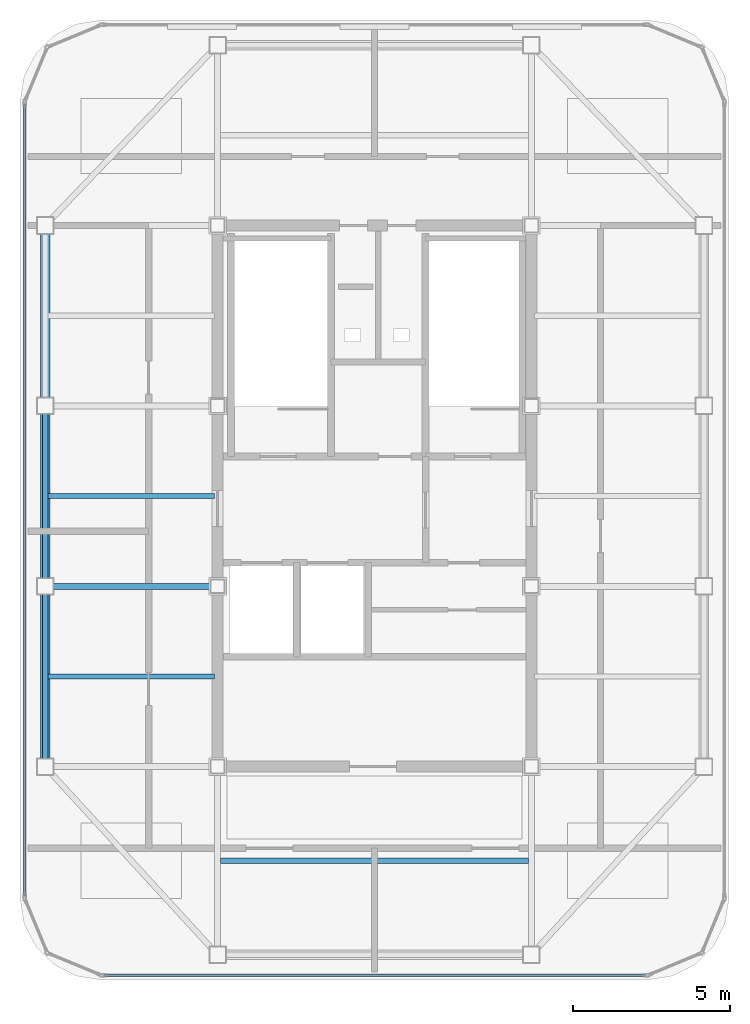
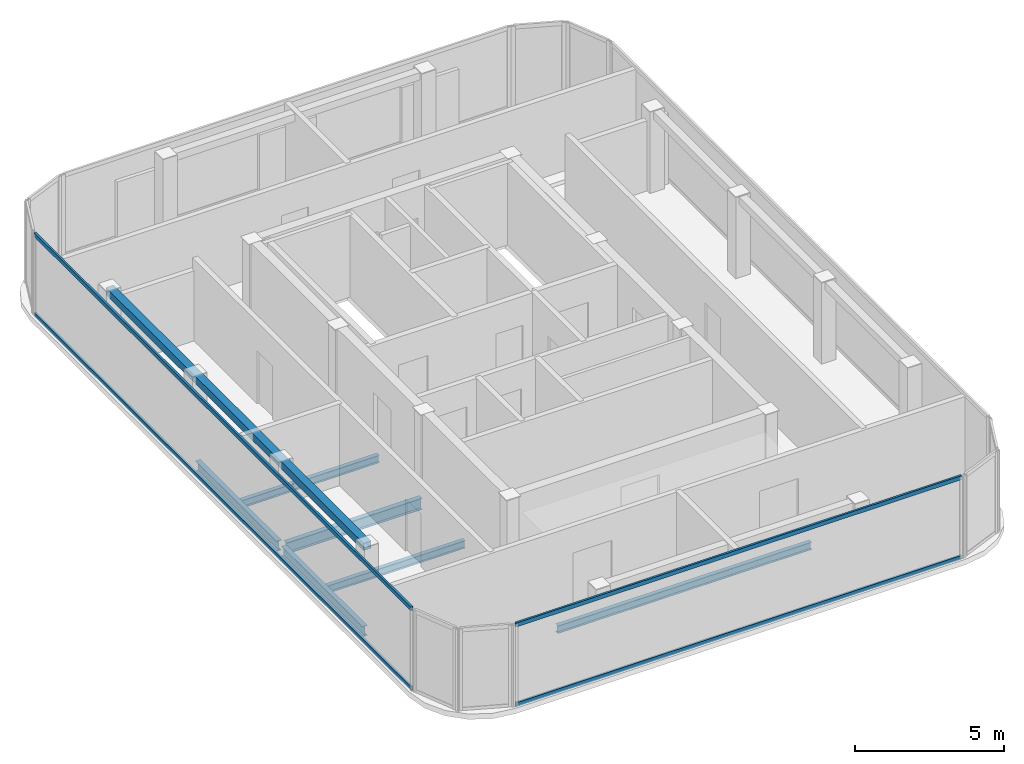
# One storey, part 3 of 11: 6 beams, 5 members, 2 elements without a shape of their own.
"""IFC4 building model written with IfcOpenShell, lengths in metres."""

from ifc_helpers import new_model, si_unit, direction, frame, origin, origin_2d, place, context, subcontext, project, spatial, hollow_rectangle, i_section, extrude, source, transform, mapped, material, layer, layer_set, material_profile, profile_set, type_object, element, aggregate, save


model = new_model("IFC4")

# Units and contexts
model_context = context("Model", 3, precision=1e-05, world=origin(), true_north=direction((0.0, 1.0)))
body_context = subcontext(model_context, "Body", "Model", "MODEL_VIEW")
ifc_project = project(units=[si_unit("LENGTHUNIT", "METRE"), si_unit("AREAUNIT", "SQUARE_METRE"), si_unit("VOLUMEUNIT", "CUBIC_METRE"), si_unit("PLANEANGLEUNIT", "RADIAN"), si_unit("MASSUNIT", "GRAM", prefix="KILO")], contexts=[model_context])

# Site, building, storey
site_placement = place(None, origin())
site = spatial("IfcSite", under=ifc_project, at=site_placement, CompositionType="ELEMENT")
building_placement = place(site_placement, origin())
building = spatial("IfcBuilding", under=site, at=building_placement, Name="Kolveth Station Tower", CompositionType="ELEMENT")
storey_placement = place(building_placement, frame((0.0, 0.0, 292.89990234375)))
storey = spatial("IfcBuildingStorey", under=building, at=storey_placement, Name="L84", CompositionType="ELEMENT", Elevation=292.89990234375)

# Beams
ifc_material_1 = material(Name="Steel S355", Category="steel")
ifc_material_profile_1 = material_profile(ifc_material_1, i_section(OverallWidth=0.180908203125, OverallDepth=0.4169921875, WebThickness=0.010986328125, FlangeThickness=0.018310546875, at=origin_2d()), Name="W410x85")
ifc_profile_set_1 = profile_set([ifc_material_profile_1], Name="Steel S355")
beam_type_1 = type_object("IfcBeamType", Name="Beam_B8", PredefinedType="BEAM", material=ifc_profile_set_1)
shared_shape_1 = source(origin(), body_context, "Body", "SweptSolid", [
    extrude(i_section(OverallWidth=0.180908203125, OverallDepth=0.4169921875, WebThickness=0.010986328125, FlangeThickness=0.018310546875, at=origin_2d()), origin(), (0.0, 0.0, 1.0), 5.43017578125),
])
for number, where, z_axis, x_axis, name in (
    (1, (13.0, 11.659912109375, -0.428466796875), (0.0, 1.0, 0.0), (-1.0, 0.0, 0.0), "L84 Perimeter Spandrel BM-L84-PW-1"),
    (2, (13.0, 17.409912109375, -0.428466796875), (0.0, 1.0, 0.0), (-1.0, 0.0, 0.0), "L84 Perimeter Spandrel BM-L84-PW-2"),
):
    element("IfcBeam", number, at=place(storey_placement, frame(where, z_axis=z_axis, x_axis=x_axis)), inside=storey, type_object=beam_type_1, Name=name, PredefinedType="BEAM", context=body_context, shape_type="MappedRepresentation", body=[
        mapped(shared_shape_1, transform((0.0, 0.0, 0.0), x_axis=(1.0, 0.0, 0.0), y_axis=(0.0, 1.0, 0.0), z_axis=(0.0, 0.0, 1.0), scale=1.0)),
    ])
ifc_material_profile_2 = material_profile(ifc_material_1, i_section(OverallWidth=0.19091796875, OverallDepth=0.4599609375, WebThickness=0.010009765625, FlangeThickness=0.01611328125, at=origin_2d()), Name="W460x82")
ifc_profile_set_2 = profile_set([ifc_material_profile_2], Name="Steel S355")
beam_type_2 = type_object("IfcBeamType", Name="Beam_B7", PredefinedType="BEAM", material=ifc_profile_set_2)
shared_shape_2 = source(origin(), body_context, "Body", "SweptSolid", [
    extrude(i_section(OverallWidth=0.19091796875, OverallDepth=0.4599609375, WebThickness=0.010009765625, FlangeThickness=0.01611328125, at=origin_2d()), origin(), (0.0, 0.0, 1.0), 5.22998046875),
])
beam_1_placement = place(storey_placement, frame((13.159912109375, 17.25, -0.449951171875), z_axis=(1.0, 0.0, 0.0), x_axis=(0.0, 1.0, 0.0)))
element("IfcBeam", 3, at=beam_1_placement, inside=storey, type_object=beam_type_2, Name="L84 Primary Girder BM-L84-GY172-1", PredefinedType="BEAM", context=body_context, shape_type="MappedRepresentation", body=[
    mapped(shared_shape_2, transform((0.0, 0.0, 0.0), x_axis=(1.0, 0.0, 0.0), y_axis=(0.0, 1.0, 0.0), z_axis=(0.0, 0.0, 1.0), scale=1.0)),
])
ifc_material_profile_3 = material_profile(ifc_material_1, i_section(OverallWidth=0.1650390625, OverallDepth=0.31005859375, WebThickness=0.005859375, FlangeThickness=0.009765625, at=origin_2d()), Name="W310x39")
ifc_profile_set_3 = profile_set([ifc_material_profile_3], Name="Steel S355")
beam_type_3 = type_object("IfcBeamType", Name="Beam_J3", PredefinedType="JOIST", material=ifc_profile_set_3)
shared_shape_3 = source(origin(), body_context, "Body", "SweptSolid", [
    extrude(i_section(OverallWidth=0.1650390625, OverallDepth=0.31005859375, WebThickness=0.005859375, FlangeThickness=0.009765625, at=origin_2d()), origin(), (0.0, 0.0, 1.0), 9.81298828125),
])
beam_2_placement = place(storey_placement, frame((18.593505859375, 8.5, -0.375), z_axis=(1.0, 0.0, 0.0), x_axis=(0.0, 1.0, 0.0)))
element("IfcBeam", 4, at=beam_2_placement, inside=storey, type_object=beam_type_3, Name="L84 Secondary Joist JST-L84-2-1", PredefinedType="JOIST", context=body_context, shape_type="MappedRepresentation", body=[
    mapped(shared_shape_3, transform((0.0, 0.0, 0.0), x_axis=(1.0, 0.0, 0.0), y_axis=(0.0, 1.0, 0.0), z_axis=(0.0, 0.0, 1.0), scale=1.0)),
])
shared_shape_4 = source(origin(), body_context, "Body", "SweptSolid", [
    extrude(i_section(OverallWidth=0.1650390625, OverallDepth=0.31005859375, WebThickness=0.005859375, FlangeThickness=0.009765625, at=origin_2d()), origin(), (0.0, 0.0, 1.0), 5.318115234375),
])
for number, where, z_axis, x_axis, name in (
    (5, (13.08837890625, 14.375, -0.375), (1.0, 0.0, 0.0), (0.0, 1.0, 0.0), "L84 Secondary Joist JST-L84-1-2"),
    (6, (13.08837890625, 20.125, -0.375), (1.0, 0.0, 0.0), (0.0, 1.0, 0.0), "L84 Secondary Joist JST-L84-1-3"),
):
    element("IfcBeam", number, at=place(storey_placement, frame(where, z_axis=z_axis, x_axis=x_axis)), inside=storey, type_object=beam_type_3, Name=name, PredefinedType="JOIST", context=body_context, shape_type="MappedRepresentation", body=[
        mapped(shared_shape_4, transform((0.0, 0.0, 0.0), x_axis=(1.0, 0.0, 0.0), y_axis=(0.0, 1.0, 0.0), z_axis=(0.0, 0.0, 1.0), scale=1.0)),
    ])

# Member
ifc_material_profile_4 = material_profile(ifc_material_1, hollow_rectangle(XDim=0.300048828125, YDim=0.300048828125, WallThickness=0.01611328125, at=origin_2d()), Name="CROWN-HSS300x300x16")
ifc_profile_set_4 = profile_set([ifc_material_profile_4], Name="Steel S355")
member_type_1 = type_object("IfcMemberType", Name="Mem_CF1", PredefinedType="CHORD", material=ifc_profile_set_4)
shared_shape_5 = source(origin(), body_context, "Body", "SweptSolid", [
    extrude(hollow_rectangle(XDim=0.300048828125, YDim=0.300048828125, WallThickness=0.01611328125, at=origin_2d()), origin(), (0.0, 0.0, 1.0), 17.25),
])
member_1_placement = place(storey_placement, frame((13.0, 11.5, 3.150146484375), z_axis=(0.0, 1.0, 0.0), x_axis=(-1.0, 0.0, 0.0)))
element("IfcMember", 7, at=member_1_placement, inside=storey, type_object=member_type_1, Name="L84 Crown Frame Ring Chord 3", PredefinedType="CHORD", context=body_context, shape_type="MappedRepresentation", body=[
    mapped(shared_shape_5, transform((0.0, 0.0, 0.0), x_axis=(1.0, 0.0, 0.0), y_axis=(0.0, 1.0, 0.0), z_axis=(0.0, 0.0, 1.0), scale=1.0)),
])

# Curtain wall, members
ifc_material_2 = material(Name="Black anodized aluminium 6063-T6 and dark crown glass", Category="aluminium")
ifc_layer = layer(ifc_material_2, 0.169921875)
ifc_layer_set = layer_set([ifc_layer], Name="Black anodized aluminium 6063-T6 and dark crown glass")
curtain_wall_type = type_object("IfcCurtainWallType", Name="CurtainWall_CW-CR", PredefinedType="NOTDEFINED", material=ifc_layer_set)
curtain_wall_1_placement = place(storey_placement, origin())
curtain_wall_1 = element("IfcCurtainWall", 8, at=curtain_wall_1_placement, inside=storey, type_object=curtain_wall_type, Name="L84 Stepped Crown Curtain Wall 9", PredefinedType="NOTDEFINED")
ifc_material_3 = material(Name="Black anodized aluminium 6063-T6", Category="aluminium")
ifc_material_profile_5 = material_profile(ifc_material_3, hollow_rectangle(XDim=0.080078125, YDim=0.1650390625, WallThickness=0.0048828125, at=origin_2d()), Name="ALU-80x165x5")
ifc_profile_set_5 = profile_set([ifc_material_profile_5], Name="Black anodized aluminium 6063-T6")
member_type_2 = type_object("IfcMemberType", Name="Transom_TR-CR", PredefinedType="USERDEFINED", material=ifc_profile_set_5)
shared_shape_6 = source(origin(), body_context, "Body", "SweptSolid", [
    extrude(hollow_rectangle(XDim=0.080078125, YDim=0.1650390625, WallThickness=0.0048828125, at=origin_2d()), origin(), (0.0, 0.0, 1.0), 25.22998046875),
])
member_2_placement = place(storey_placement, frame((12.35009765625, 32.614990234375, 0.0400390625), z_axis=(0.0, -1.0, 0.0), x_axis=(1.0, 0.0, 0.0)))
member_2 = element("IfcMember", 9, at=member_2_placement, type_object=member_type_2, Name="CW-CR transom 1.1", ObjectType="TRANSOM", PredefinedType="USERDEFINED", context=body_context, shape_type="MappedRepresentation", body=[
    mapped(shared_shape_6, transform((0.0, 0.0, 0.0), x_axis=(1.0, 0.0, 0.0), y_axis=(0.0, 1.0, 0.0), z_axis=(0.0, 0.0, 1.0), scale=1.0)),
])
member_3_placement = place(storey_placement, frame((12.35009765625, 32.614990234375, 3.300048828125), z_axis=(0.0, -1.0, 0.0), x_axis=(1.0, 0.0, 0.0)))
member_3 = element("IfcMember", 10, at=member_3_placement, type_object=member_type_2, Name="CW-CR transom 1.2", ObjectType="TRANSOM", PredefinedType="USERDEFINED", context=body_context, shape_type="MappedRepresentation", body=[
    mapped(shared_shape_6, transform((0.0, 0.0, 0.0), x_axis=(1.0, 0.0, 0.0), y_axis=(0.0, 1.0, 0.0), z_axis=(0.0, 0.0, 1.0), scale=1.0)),
])
aggregate(curtain_wall_1, [member_2, member_3])

curtain_wall_2_placement = place(storey_placement, origin())
curtain_wall_2 = element("IfcCurtainWall", 11, at=curtain_wall_2_placement, inside=storey, type_object=curtain_wall_type, Name="L84 Stepped Crown Curtain Wall 12", PredefinedType="NOTDEFINED")
shared_shape_7 = source(origin(), body_context, "Body", "SweptSolid", [
    extrude(hollow_rectangle(XDim=0.080078125, YDim=0.1650390625, WallThickness=0.0048828125, at=origin_2d()), origin(), (0.0, 0.0, 1.0), 17.22998046875),
])
member_4_placement = place(storey_placement, frame((14.885009765625, 4.85009765625, 0.0400390625), z_axis=(1.0, 0.0, 0.0), x_axis=(0.0, 1.0, 0.0)))
member_4 = element("IfcMember", 12, at=member_4_placement, type_object=member_type_2, Name="CW-CR transom 1.1", ObjectType="TRANSOM", PredefinedType="USERDEFINED", context=body_context, shape_type="MappedRepresentation", body=[
    mapped(shared_shape_7, transform((0.0, 0.0, 0.0), x_axis=(1.0, 0.0, 0.0), y_axis=(0.0, 1.0, 0.0), z_axis=(0.0, 0.0, 1.0), scale=1.0)),
])
member_5_placement = place(storey_placement, frame((14.885009765625, 4.85009765625, 3.300048828125), z_axis=(1.0, 0.0, 0.0), x_axis=(0.0, 1.0, 0.0)))
member_5 = element("IfcMember", 13, at=member_5_placement, type_object=member_type_2, Name="CW-CR transom 1.2", ObjectType="TRANSOM", PredefinedType="USERDEFINED", context=body_context, shape_type="MappedRepresentation", body=[
    mapped(shared_shape_7, transform((0.0, 0.0, 0.0), x_axis=(1.0, 0.0, 0.0), y_axis=(0.0, 1.0, 0.0), z_axis=(0.0, 0.0, 1.0), scale=1.0)),
])
aggregate(curtain_wall_2, [member_4, member_5])

save(model, "model.ifc")
